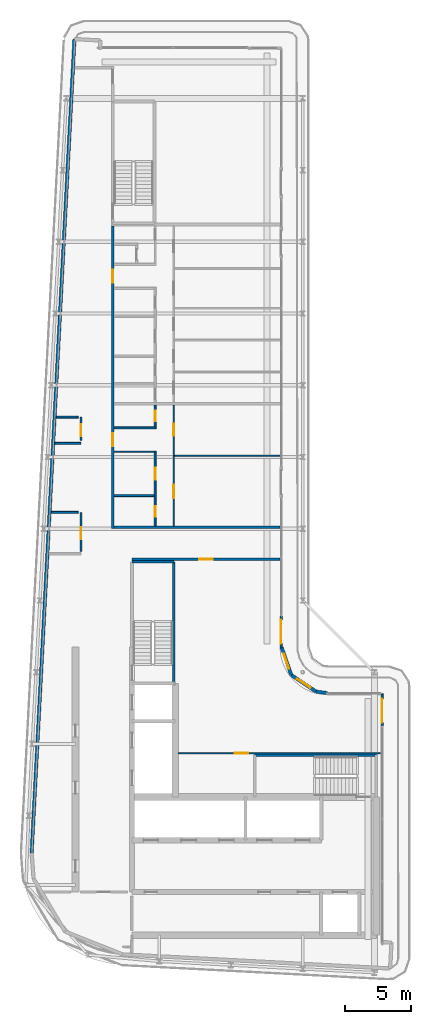
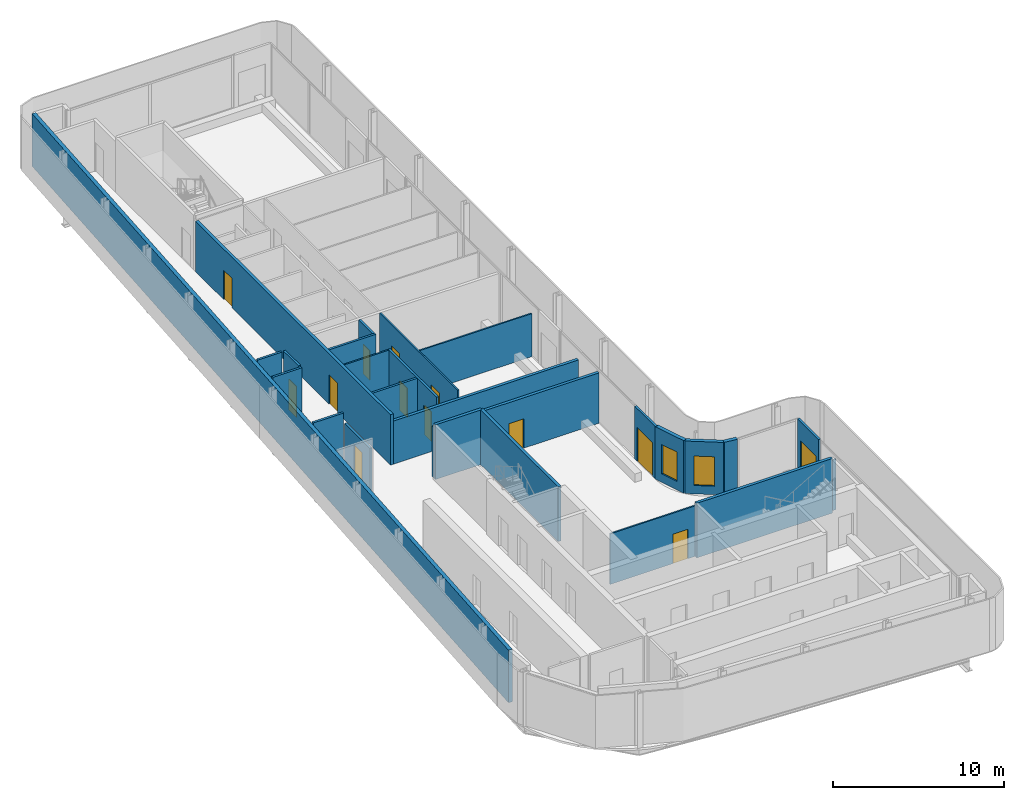
# One storey, part 10 of 19: 25 walls, 13 doors, 2 windows, 15 openings.
"""IFC4 building model written with IfcOpenShell, lengths in metres."""

from ifc_helpers import new_model, si_unit, direction, frame, frame_2d, origin, place, context, subcontext, project, spatial, rectangle, extrude, source, transform, mapped, material, layer, layer_set, type_object, element, fill, save


model = new_model("IFC4")

# Units and contexts
model_context = context("Model", 3, precision=1e-05, world=origin(), true_north=direction((0.0, 1.0)))
body_context = subcontext(model_context, "Body", "Model", "MODEL_VIEW")
ifc_project = project(units=[si_unit("LENGTHUNIT", "METRE"), si_unit("AREAUNIT", "SQUARE_METRE"), si_unit("VOLUMEUNIT", "CUBIC_METRE"), si_unit("PLANEANGLEUNIT", "RADIAN"), si_unit("MASSUNIT", "GRAM", prefix="KILO")], contexts=[model_context])

# Site, building, storey
site_placement = place(None, origin())
site = spatial("IfcSite", under=ifc_project, at=site_placement, CompositionType="ELEMENT")
building_placement = place(site_placement, origin())
building = spatial("IfcBuilding", under=site, at=building_placement, Name="Kheshtan School and Residences Tower", CompositionType="ELEMENT")
storey_placement = place(building_placement, frame((0.0, 0.0, 357.800048828125)))
storey = spatial("IfcBuildingStorey", under=building, at=storey_placement, Name="L84", CompositionType="ELEMENT", Elevation=357.800048828125)

# Wall, openings, doors
ifc_material_1 = material(Name="Gypsum board on steel studs with fire boards", Category="steel")
ifc_layer_1 = layer(ifc_material_1, 0.199951171875)
ifc_layer_set_1 = layer_set([ifc_layer_1], Name="Corridor wall 200")
wall_type_1 = type_object("IfcWallType", Name="Corridor wall 200", PredefinedType="PARTITIONING", material=ifc_layer_set_1)
wall_1_placement = place(storey_placement, frame((33.300048828125, 56.39990234375, 0.0), z_axis=(0.0, 0.0, 1.0), x_axis=(0.0, 1.0, 0.0)))
wall_1 = element("IfcWall", 1, at=wall_1_placement, inside=storey, type_object=wall_type_1, Name="Partition L84-003", PredefinedType="PARTITIONING", context=body_context, shape_type="SweptSolid", body=[
    extrude(rectangle(XDim=22.800048828125, YDim=0.199951171875, at=frame_2d((11.39990234375, 0.0))), origin(), (0.0, 0.0, 1.0), 3.599853515625),
])
opening_1_placement = place(wall_1_placement, frame((6.199951171875, 0.0, 0.0)))
opening_1 = element("IfcOpeningElement", 2, at=opening_1_placement, cuts=wall_1, Name="Opening D83-003", PredefinedType="OPENING", context=body_context, shape_type="SweptSolid", body=[
    extrude(rectangle(XDim=1.0, YDim=2.10009765625, at=frame_2d((0.5, 1.050048828125))), frame((0.0, 0.10986328125, 0.0), z_axis=(0.0, -1.0, 0.0), x_axis=(1.0, 0.0, 0.0)), (0.0, 0.0, 1.0), 0.219970703125),
])
opening_2_placement = place(wall_1_placement, frame((18.5, 0.0, 0.0)))
opening_2 = element("IfcOpeningElement", 3, at=opening_2_placement, cuts=wall_1, Name="Opening D83-011", PredefinedType="OPENING", context=body_context, shape_type="SweptSolid", body=[
    extrude(rectangle(XDim=1.0, YDim=2.10009765625, at=frame_2d((0.5, 1.050048828125))), frame((0.0, 0.10986328125, 0.0), z_axis=(0.0, -1.0, 0.0), x_axis=(1.0, 0.0, 0.0)), (0.0, 0.0, 1.0), 0.219970703125),
])
ifc_material_2 = material(Name="Steel-framed fire-resisting door leaf", Category="steel")
door_type_1 = type_object("IfcDoorType", Name="Fire door FD30S 1000 x 2100", OperationType="SINGLE_SWING_LEFT", PredefinedType="DOOR", material=ifc_material_2)
shared_shape_1 = source(origin(), body_context, "Body", "SweptSolid", [
    extrude(rectangle(XDim=1.0, YDim=2.10009765625, at=frame_2d((0.5, 1.050048828125))), frame((0.0, 0.02490234375, 0.0), z_axis=(0.0, -1.0, 0.0), x_axis=(1.0, 0.0, 0.0)), (0.0, 0.0, 1.0), 0.050048828125),
])
door_1_placement = place(opening_1_placement, origin())
door_1 = element("IfcDoor", 4, at=door_1_placement, inside=storey, type_object=door_type_1, Name="Door D83-003", OperationType="SINGLE_SWING_LEFT", OverallHeight=2.10009765625, OverallWidth=1.0, PredefinedType="DOOR", context=body_context, shape_type="MappedRepresentation", body=[
    mapped(shared_shape_1, transform((0.0, 0.0, 0.0), x_axis=(1.0, 0.0, 0.0), y_axis=(0.0, 1.0, 0.0), z_axis=(0.0, 0.0, 1.0), scale=1.0)),
])
fill(opening_1, door_1)
door_2_placement = place(opening_2_placement, origin())
door_2 = element("IfcDoor", 5, at=door_2_placement, inside=storey, type_object=door_type_1, Name="Door D83-011", OperationType="SINGLE_SWING_RIGHT", OverallHeight=2.10009765625, OverallWidth=1.0, PredefinedType="DOOR", context=body_context, shape_type="MappedRepresentation", body=[
    mapped(shared_shape_1, transform((0.0, 0.0, 0.0), x_axis=(1.0, 0.0, 0.0), y_axis=(0.0, 1.0, 0.0), z_axis=(0.0, 0.0, 1.0), scale=1.0)),
])
fill(opening_2, door_2)

# Wall
wall_2_placement = place(storey_placement, frame((33.39990234375, 56.5, 0.0), z_axis=(0.0, 0.0, 1.0), x_axis=(1.0, 0.0, 0.0)))
element("IfcWall", 6, at=wall_2_placement, inside=storey, type_object=wall_type_1, Name="Partition L84-005", PredefinedType="PARTITIONING", context=body_context, shape_type="SweptSolid", body=[
    extrude(rectangle(XDim=12.5, YDim=0.199951171875, at=frame_2d((6.25, 0.0))), origin(), (0.0, 0.0, 1.0), 3.072021484375),
])

# Wall, opening, door
wall_3_placement = place(storey_placement, frame((34.75, 54.10009765625, 0.0), z_axis=(0.0, 0.0, 1.0), x_axis=(1.0, 0.0, 0.0)))
wall_3 = element("IfcWall", 7, at=wall_3_placement, inside=storey, type_object=wall_type_1, Name="Partition L84-018", PredefinedType="PARTITIONING", context=body_context, shape_type="SweptSolid", body=[
    extrude(rectangle(XDim=11.14990234375, YDim=0.199951171875, at=frame_2d((5.574951171875, 0.0))), origin(), (0.0, 0.0, 1.0), 3.599853515625),
])
opening_3_placement = place(wall_3_placement, frame((5.074951171875, 0.0, 0.0)))
opening_3 = element("IfcOpeningElement", 8, at=opening_3_placement, cuts=wall_3, Name="Opening D83-020", PredefinedType="OPENING", context=body_context, shape_type="SweptSolid", body=[
    extrude(rectangle(XDim=1.0, YDim=2.10009765625, at=frame_2d((0.5, 1.050048828125))), frame((0.0, 0.10986328125, 0.0), z_axis=(0.0, -1.0, 0.0), x_axis=(1.0, 0.0, 0.0)), (0.0, 0.0, 1.0), 0.219970703125),
])
door_type_2 = type_object("IfcDoorType", Name="Fire door FD60 1000 x 2100", OperationType="SINGLE_SWING_LEFT", PredefinedType="DOOR", material=ifc_material_2)
shared_shape_2 = source(origin(), body_context, "Body", "SweptSolid", [
    extrude(rectangle(XDim=1.0, YDim=2.10009765625, at=frame_2d((0.5, 1.050048828125))), frame((0.0, 0.02490234375, 0.0), z_axis=(0.0, -1.0, 0.0), x_axis=(1.0, 0.0, 0.0)), (0.0, 0.0, 1.0), 0.050048828125),
])
door_3_placement = place(opening_3_placement, origin())
door_3 = element("IfcDoor", 9, at=door_3_placement, inside=storey, type_object=door_type_2, Name="Door D83-020", OperationType="SINGLE_SWING_RIGHT", OverallHeight=2.10009765625, OverallWidth=1.0, PredefinedType="DOOR", context=body_context, shape_type="MappedRepresentation", body=[
    mapped(shared_shape_2, transform((0.0, 0.0, 0.0), x_axis=(1.0, 0.0, 0.0), y_axis=(0.0, 1.0, 0.0), z_axis=(0.0, 0.0, 1.0), scale=1.0)),
])
fill(opening_3, door_3)

# Wall, opening, window
ifc_material_3 = material(Name="Concrete C40/50 with ceramic cladding and mineral wool insulation", Category="concrete")
ifc_layer_2 = layer(ifc_material_3, 0.25)
ifc_layer_set_2 = layer_set([ifc_layer_2], Name="External wall 250 ceramic clad")
wall_type_2 = type_object("IfcWallType", Name="External wall 250 ceramic clad", PredefinedType="SOLIDWALL", material=ifc_layer_set_2)
wall_4_placement = place(storey_placement, frame((46.01806640625, 47.470947265625, 0.0), z_axis=(0.0, 0.0, 1.0), x_axis=(0.328791208903, -0.944402637093, 0.0)))
wall_4 = element("IfcWall", 10, at=wall_4_placement, inside=storey, type_object=wall_type_2, Name="External wall L84 5", PredefinedType="SOLIDWALL", context=body_context, shape_type="SweptSolid", body=[
    extrude(rectangle(XDim=2.20458984375, YDim=0.25, at=frame_2d((1.102294921875, 0.0))), origin(), (0.0, 0.0, 1.0), 3.75),
])
opening_4_placement = place(wall_4_placement, frame((0.5029296875, 0.0, 0.60009765625)))
opening_4 = element("IfcOpeningElement", 11, at=opening_4_placement, cuts=wall_4, Name="Opening WN-E", PredefinedType="OPENING", context=body_context, shape_type="SweptSolid", body=[
    extrude(rectangle(XDim=1.199951171875, YDim=2.10009765625, at=frame_2d((0.60009765625, 1.050048828125))), frame((0.0, 0.135009765625, 0.0), z_axis=(0.0, -1.0, 0.0), x_axis=(1.0, 0.0, 0.0)), (0.0, 0.0, 1.0), 0.27001953125),
])
ifc_material_4 = material(Name="Clear low-e glass in thermally broken aluminium frame", Category="aluminium")
window_type = type_object("IfcWindowType", Name="Window WN-E", PartitioningType="SINGLE_PANEL", PredefinedType="WINDOW", material=ifc_material_4)
shared_shape_3 = source(origin(), body_context, "Body", "SweptSolid", [
    extrude(rectangle(XDim=1.199951171875, YDim=2.10009765625, at=frame_2d((0.60009765625, 1.050048828125))), frame((0.0, 0.030029296875, 0.0), z_axis=(0.0, -1.0, 0.0), x_axis=(1.0, 0.0, 0.0)), (0.0, 0.0, 1.0), 0.06005859375),
])
window_1_placement = place(opening_4_placement, origin())
window_1 = element("IfcWindow", 12, at=window_1_placement, inside=storey, type_object=window_type, Name="Window L84 5", OverallHeight=2.10009765625, OverallWidth=1.199951171875, PartitioningType="SINGLE_PANEL", PredefinedType="WINDOW", context=body_context, shape_type="MappedRepresentation", body=[
    mapped(shared_shape_3, transform((0.0, 0.0, 0.0), x_axis=(1.0, 0.0, 0.0), y_axis=(0.0, 1.0, 0.0), z_axis=(0.0, 0.0, 1.0), scale=1.0)),
])
fill(opening_4, window_1)

wall_5_placement = place(storey_placement, frame((46.742919921875, 45.388916015625, 0.0), z_axis=(0.0, 0.0, 1.0), x_axis=(0.831449265529, -0.555600682912, 0.0)))
wall_5 = element("IfcWall", 13, at=wall_5_placement, inside=storey, type_object=wall_type_2, Name="External wall L84 6", PredefinedType="SOLIDWALL", context=body_context, shape_type="SweptSolid", body=[
    extrude(rectangle(XDim=2.25146484375, YDim=0.25, at=frame_2d((1.125732421875, 0.0))), origin(), (0.0, 0.0, 1.0), 3.75),
])
opening_5_placement = place(wall_5_placement, frame((0.52490234375, 0.0, 0.60009765625)))
opening_5 = element("IfcOpeningElement", 14, at=opening_5_placement, cuts=wall_5, Name="Opening WN-E", PredefinedType="OPENING", context=body_context, shape_type="SweptSolid", body=[
    extrude(rectangle(XDim=1.199951171875, YDim=2.10009765625, at=frame_2d((0.60009765625, 1.050048828125))), frame((0.0, 0.135009765625, 0.0), z_axis=(0.0, -1.0, 0.0), x_axis=(1.0, 0.0, 0.0)), (0.0, 0.0, 1.0), 0.27001953125),
])
window_2_placement = place(opening_5_placement, origin())
window_2 = element("IfcWindow", 15, at=window_2_placement, inside=storey, type_object=window_type, Name="Window L84 6", OverallHeight=2.10009765625, OverallWidth=1.199951171875, PartitioningType="SINGLE_PANEL", PredefinedType="WINDOW", context=body_context, shape_type="MappedRepresentation", body=[
    mapped(shared_shape_3, transform((0.0, 0.0, 0.0), x_axis=(1.0, 0.0, 0.0), y_axis=(0.0, 1.0, 0.0), z_axis=(0.0, 0.0, 1.0), scale=1.0)),
])
fill(opening_5, window_2)

# Walls
wall_6_placement = place(storey_placement, frame((48.614990234375, 44.137939453125, 0.0), z_axis=(0.0, 0.0, 1.0), x_axis=(0.990741504246, -0.135761819977, 0.0)))
element("IfcWall", 16, at=wall_6_placement, inside=storey, type_object=wall_type_2, Name="External wall L84 7", PredefinedType="SOLIDWALL", context=body_context, shape_type="SweptSolid", body=[
    extrude(rectangle(XDim=0.83984375, YDim=0.25, at=frame_2d((0.419921875, 0.0))), origin(), (0.0, 0.0, 1.0), 3.75),
])
wall_7_placement = place(storey_placement, frame((27.195068359375, 31.968994140625, 0.0), z_axis=(0.0, 0.0, 1.0), x_axis=(0.052555284099, 0.998618016117, 0.0)))
element("IfcWall", 17, at=wall_7_placement, inside=storey, type_object=wall_type_2, Name="External wall L84 16", PredefinedType="SOLIDWALL", context=body_context, shape_type="SweptSolid", body=[
    extrude(rectangle(XDim=61.379638671875, YDim=0.25, at=frame_2d((30.68994140625, 0.0))), origin(), (0.0, 0.0, 1.0), 3.75),
])

# Wall, opening, door
ifc_material_5 = material(Name="Aluminium frame wall with insulated infill", Category="aluminium")
ifc_layer_3 = layer(ifc_material_5, 0.14990234375)
ifc_layer_set_3 = layer_set([ifc_layer_3], Name="Glazing frame wall 150")
wall_type_3 = type_object("IfcWallType", Name="Glazing frame wall 150", PredefinedType="SOLIDWALL", material=ifc_layer_set_3)
wall_8_placement = place(storey_placement, frame((45.97509765625, 49.830078125, 0.0), z_axis=(0.0, 0.0, 1.0), x_axis=(0.0, -1.0, 0.0)))
wall_8 = element("IfcWall", 18, at=wall_8_placement, inside=storey, type_object=wall_type_3, Name="Balcony door wall L84 4.4", PredefinedType="SOLIDWALL", context=body_context, shape_type="SweptSolid", body=[
    extrude(rectangle(XDim=2.400146484375, YDim=0.14990234375, at=frame_2d((1.2001953125, 0.0))), origin(), (0.0, 0.0, 1.0), 3.75),
])
opening_6_placement = place(wall_8_placement, frame((0.300048828125, 0.0, 0.0)))
opening_6 = element("IfcOpeningElement", 19, at=opening_6_placement, cuts=wall_8, Name="Opening BD", PredefinedType="OPENING", context=body_context, shape_type="SweptSolid", body=[
    extrude(rectangle(XDim=1.800048828125, YDim=2.39990234375, at=frame_2d((0.89990234375, 1.199951171875))), frame((0.0, 0.0849609375, 0.0), z_axis=(0.0, -1.0, 0.0), x_axis=(1.0, 0.0, 0.0)), (0.0, 0.0, 1.0), 0.169921875),
])
door_type_3 = type_object("IfcDoorType", Name="Balcony sliding door", OperationType="SLIDING_TO_LEFT", PredefinedType="DOOR", material=ifc_material_4)
shared_shape_4 = source(origin(), body_context, "Body", "SweptSolid", [
    extrude(rectangle(XDim=1.800048828125, YDim=2.39990234375, at=frame_2d((0.89990234375, 1.199951171875))), frame((0.0, 0.02490234375, 0.0), z_axis=(0.0, -1.0, 0.0), x_axis=(1.0, 0.0, 0.0)), (0.0, 0.0, 1.0), 0.050048828125),
])
door_4_placement = place(opening_6_placement, origin())
door_4 = element("IfcDoor", 20, at=door_4_placement, inside=storey, type_object=door_type_3, Name="Balcony door L84 4.4", OperationType="SLIDING_TO_LEFT", OverallHeight=2.39990234375, OverallWidth=1.800048828125, PredefinedType="DOOR", context=body_context, shape_type="MappedRepresentation", body=[
    mapped(shared_shape_4, transform((0.0, 0.0, 0.0), x_axis=(1.0, 0.0, 0.0), y_axis=(0.0, 1.0, 0.0), z_axis=(0.0, 0.0, 1.0), scale=1.0)),
])
fill(opening_6, door_4)

wall_9_placement = place(storey_placement, frame((53.574951171875, 43.970947265625, 0.0), z_axis=(0.0, 0.0, 1.0), x_axis=(0.0, -1.0, 0.0)))
wall_9 = element("IfcWall", 21, at=wall_9_placement, inside=storey, type_object=wall_type_3, Name="Balcony door wall L84 9.1", PredefinedType="SOLIDWALL", context=body_context, shape_type="SweptSolid", body=[
    extrude(rectangle(XDim=2.470947265625, YDim=0.14990234375, at=frame_2d((1.2353515625, 0.0))), origin(), (0.0, 0.0, 1.0), 3.75),
])
opening_7_placement = place(wall_9_placement, frame((0.37109375, 0.0, 0.0)))
opening_7 = element("IfcOpeningElement", 22, at=opening_7_placement, cuts=wall_9, Name="Opening BD", PredefinedType="OPENING", context=body_context, shape_type="SweptSolid", body=[
    extrude(rectangle(XDim=1.800048828125, YDim=2.39990234375, at=frame_2d((0.89990234375, 1.199951171875))), frame((0.0, 0.0849609375, 0.0), z_axis=(0.0, -1.0, 0.0), x_axis=(1.0, 0.0, 0.0)), (0.0, 0.0, 1.0), 0.169921875),
])
door_5_placement = place(opening_7_placement, origin())
door_5 = element("IfcDoor", 23, at=door_5_placement, inside=storey, type_object=door_type_3, Name="Balcony door L84 9.1", OperationType="SLIDING_TO_LEFT", OverallHeight=2.39990234375, OverallWidth=1.800048828125, PredefinedType="DOOR", context=body_context, shape_type="MappedRepresentation", body=[
    mapped(shared_shape_4, transform((0.0, 0.0, 0.0), x_axis=(1.0, 0.0, 0.0), y_axis=(0.0, 1.0, 0.0), z_axis=(0.0, 0.0, 1.0), scale=1.0)),
])
fill(opening_7, door_5)

# Wall
ifc_material_6 = material(Name="Gypsum board on steel studs", Category="steel")
ifc_layer_4 = layer(ifc_material_6, 0.10009765625)
ifc_layer_set_4 = layer_set([ifc_layer_4], Name="Gypsum partition 100")
wall_type_4 = type_object("IfcWallType", Name="Gypsum partition 100", PredefinedType="PARTITIONING", material=ifc_layer_set_4)
wall_10_placement = place(storey_placement, frame((33.39990234375, 62.199951171875, 0.0), z_axis=(0.0, 0.0, 1.0), x_axis=(1.0, 0.0, 0.0)))
element("IfcWall", 24, at=wall_10_placement, inside=storey, type_object=wall_type_4, Name="Partition L84-007", PredefinedType="PARTITIONING", context=body_context, shape_type="SweptSolid", body=[
    extrude(rectangle(XDim=3.025146484375, YDim=0.10009765625, at=frame_2d((1.5126953125, 0.0))), origin(), (0.0, 0.0, 1.0), 3.599853515625),
])

# Wall, openings, doors
wall_11_placement = place(storey_placement, frame((37.89990234375, 56.60009765625, 0.0), z_axis=(0.0, 0.0, 1.0), x_axis=(0.0, 1.0, 0.0)))
wall_11 = element("IfcWall", 25, at=wall_11_placement, inside=storey, type_object=wall_type_4, Name="Partition L84-024", PredefinedType="PARTITIONING", context=body_context, shape_type="SweptSolid", body=[
    extrude(rectangle(XDim=9.099853515625, YDim=0.10009765625, at=frame_2d((4.5498046875, 0.0))), origin(), (0.0, 0.0, 1.0), 3.599853515625),
])
opening_8_placement = place(wall_11_placement, frame((6.800048828125, 0.0, 0.0)))
opening_8 = element("IfcOpeningElement", 26, at=opening_8_placement, cuts=wall_11, Name="Opening D83-002", PredefinedType="OPENING", context=body_context, shape_type="SweptSolid", body=[
    extrude(rectangle(XDim=0.89990234375, YDim=2.10009765625, at=frame_2d((0.449951171875, 1.050048828125))), frame((0.0, 0.06005859375, 0.0), z_axis=(0.0, -1.0, 0.0), x_axis=(1.0, 0.0, 0.0)), (0.0, 0.0, 1.0), 0.1201171875),
])
opening_9_placement = place(wall_11_placement, frame((2.10009765625, 0.0, 0.0)))
opening_9 = element("IfcOpeningElement", 27, at=opening_9_placement, cuts=wall_11, Name="Opening D83-005", PredefinedType="OPENING", context=body_context, shape_type="SweptSolid", body=[
    extrude(rectangle(XDim=1.0, YDim=2.10009765625, at=frame_2d((0.5, 1.050048828125))), frame((0.0, 0.06005859375, 0.0), z_axis=(0.0, -1.0, 0.0), x_axis=(1.0, 0.0, 0.0)), (0.0, 0.0, 1.0), 0.1201171875),
])
ifc_material_7 = material(Name="Veneered timber door leaf", Category="wood")
door_type_4 = type_object("IfcDoorType", Name="Door 1000 x 2100", OperationType="SINGLE_SWING_LEFT", PredefinedType="DOOR", material=ifc_material_7)
shared_shape_5 = source(origin(), body_context, "Body", "SweptSolid", [
    extrude(rectangle(XDim=1.0, YDim=2.10009765625, at=frame_2d((0.5, 1.050048828125))), frame((0.0, 0.02490234375, 0.0), z_axis=(0.0, -1.0, 0.0), x_axis=(1.0, 0.0, 0.0)), (0.0, 0.0, 1.0), 0.050048828125),
])
door_6_placement = place(opening_9_placement, origin())
door_6 = element("IfcDoor", 28, at=door_6_placement, inside=storey, type_object=door_type_4, Name="Door D83-005", OperationType="SINGLE_SWING_LEFT", OverallHeight=2.10009765625, OverallWidth=1.0, PredefinedType="DOOR", context=body_context, shape_type="MappedRepresentation", body=[
    mapped(shared_shape_5, transform((0.0, 0.0, 0.0), x_axis=(1.0, 0.0, 0.0), y_axis=(0.0, 1.0, 0.0), z_axis=(0.0, 0.0, 1.0), scale=1.0)),
])
fill(opening_9, door_6)
door_type_5 = type_object("IfcDoorType", Name="Door 900 x 2100", OperationType="SINGLE_SWING_LEFT", PredefinedType="DOOR", material=ifc_material_7)
shared_shape_6 = source(origin(), body_context, "Body", "SweptSolid", [
    extrude(rectangle(XDim=0.89990234375, YDim=2.10009765625, at=frame_2d((0.449951171875, 1.050048828125))), frame((0.0, 0.02490234375, 0.0), z_axis=(0.0, -1.0, 0.0), x_axis=(1.0, 0.0, 0.0)), (0.0, 0.0, 1.0), 0.050048828125),
])
door_7_placement = place(opening_8_placement, origin())
door_7 = element("IfcDoor", 29, at=door_7_placement, inside=storey, type_object=door_type_5, Name="Door D83-002", OperationType="SINGLE_SWING_RIGHT", OverallHeight=2.10009765625, OverallWidth=0.89990234375, PredefinedType="DOOR", context=body_context, shape_type="MappedRepresentation", body=[
    mapped(shared_shape_6, transform((0.0, 0.0, 0.0), x_axis=(1.0, 0.0, 0.0), y_axis=(0.0, 1.0, 0.0), z_axis=(0.0, 0.0, 1.0), scale=1.0)),
])
fill(opening_8, door_7)

# Wall
wall_12_placement = place(storey_placement, frame((37.949951171875, 61.89990234375, 0.0), z_axis=(0.0, 0.0, 1.0), x_axis=(1.0, 0.0, 0.0)))
element("IfcWall", 30, at=wall_12_placement, inside=storey, type_object=wall_type_4, Name="Partition L84-026", PredefinedType="PARTITIONING", context=body_context, shape_type="SweptSolid", body=[
    extrude(rectangle(XDim=7.949951171875, YDim=0.10009765625, at=frame_2d((3.97509765625, 0.0))), origin(), (0.0, 0.0, 1.0), 3.072021484375),
])

# Wall, opening, door
wall_13_placement = place(storey_placement, frame((38.2490234375, 39.5, 0.0), z_axis=(0.0, 0.0, 1.0), x_axis=(1.0, 0.0, 0.0)))
wall_13 = element("IfcWall", 31, at=wall_13_placement, inside=storey, type_object=wall_type_4, Name="Partition L84-031", PredefinedType="PARTITIONING", context=body_context, shape_type="SweptSolid", body=[
    extrude(rectangle(XDim=15.2509765625, YDim=0.10009765625, at=frame_2d((7.62548828125, 0.0))), origin(), (0.0, 0.0, 1.0), 3.599853515625),
])
opening_10_placement = place(wall_13_placement, frame((4.2470703125, 0.0, 0.0)))
opening_10 = element("IfcOpeningElement", 32, at=opening_10_placement, cuts=wall_13, Name="Opening D83-019", PredefinedType="OPENING", context=body_context, shape_type="SweptSolid", body=[
    extrude(rectangle(XDim=1.0, YDim=2.10009765625, at=frame_2d((0.5, 1.050048828125))), frame((0.0, 0.06005859375, 0.0), z_axis=(0.0, -1.0, 0.0), x_axis=(1.0, 0.0, 0.0)), (0.0, 0.0, 1.0), 0.1201171875),
])
door_8_placement = place(opening_10_placement, origin())
door_8 = element("IfcDoor", 33, at=door_8_placement, inside=storey, type_object=door_type_4, Name="Door D83-019", OperationType="SINGLE_SWING_LEFT", OverallHeight=2.10009765625, OverallWidth=1.0, PredefinedType="DOOR", context=body_context, shape_type="MappedRepresentation", body=[
    mapped(shared_shape_5, transform((0.0, 0.0, 0.0), x_axis=(1.0, 0.0, 0.0), y_axis=(0.0, 1.0, 0.0), z_axis=(0.0, 0.0, 1.0), scale=1.0)),
])
fill(opening_10, door_8)

ifc_material_8 = material(Name="Fire-board shaft wall system")
ifc_layer_5 = layer(ifc_material_8, 0.14990234375)
ifc_layer_set_5 = layer_set([ifc_layer_5], Name="Service room wall 150")
wall_type_5 = type_object("IfcWallType", Name="Service room wall 150", PredefinedType="PARTITIONING", material=ifc_layer_set_5)
wall_14_placement = place(storey_placement, frame((30.89990234375, 54.695068359375, 0.0), z_axis=(0.0, 0.0, 1.0), x_axis=(0.0, 1.0, 0.0)))
wall_14 = element("IfcWall", 34, at=wall_14_placement, inside=storey, type_object=wall_type_5, Name="Service room wall", PredefinedType="PARTITIONING", context=body_context, shape_type="SweptSolid", body=[
    extrude(rectangle(XDim=2.930908203125, YDim=0.14990234375, at=frame_2d((1.46533203125, 0.0))), origin(), (0.0, 0.0, 1.0), 3.072021484375),
])
opening_11_placement = place(wall_14_placement, frame((0.91796875, 0.0, 0.0)))
opening_11 = element("IfcOpeningElement", 35, at=opening_11_placement, cuts=wall_14, Name="Opening SR90", PredefinedType="OPENING", context=body_context, shape_type="SweptSolid", body=[
    extrude(rectangle(XDim=0.89990234375, YDim=2.199951171875, at=frame_2d((0.449951171875, 1.10009765625))), frame((0.0, 0.0849609375, 0.0), z_axis=(0.0, -1.0, 0.0), x_axis=(1.0, 0.0, 0.0)), (0.0, 0.0, 1.0), 0.169921875),
])
ifc_material_9 = material(Name="Steel door leaf, galvanised", Category="steel")
door_type_6 = type_object("IfcDoorType", Name="Service room door 900 steel 90 min", OperationType="SINGLE_SWING_LEFT", PredefinedType="DOOR", material=ifc_material_9)
shared_shape_7 = source(origin(), body_context, "Body", "SweptSolid", [
    extrude(rectangle(XDim=0.89990234375, YDim=2.199951171875, at=frame_2d((0.449951171875, 1.10009765625))), frame((0.0, 0.02490234375, 0.0), z_axis=(0.0, -1.0, 0.0), x_axis=(1.0, 0.0, 0.0)), (0.0, 0.0, 1.0), 0.050048828125),
])
door_9_placement = place(opening_11_placement, origin())
door_9 = element("IfcDoor", 36, at=door_9_placement, inside=storey, type_object=door_type_6, Name="Service room door", OperationType="SINGLE_SWING_LEFT", OverallHeight=2.199951171875, OverallWidth=0.89990234375, PredefinedType="DOOR", context=body_context, shape_type="MappedRepresentation", body=[
    mapped(shared_shape_7, transform((0.0, 0.0, 0.0), x_axis=(1.0, 0.0, 0.0), y_axis=(0.0, 1.0, 0.0), z_axis=(0.0, 0.0, 1.0), scale=1.0)),
])
fill(opening_11, door_9)

# Walls
wall_15_placement = place(storey_placement, frame((28.673095703125, 57.6259765625, 0.0), z_axis=(0.0, 0.0, 1.0), x_axis=(1.0, 0.0, 0.0)))
element("IfcWall", 37, at=wall_15_placement, inside=storey, type_object=wall_type_5, Name="Service room wall", PredefinedType="PARTITIONING", context=body_context, shape_type="SweptSolid", body=[
    extrude(rectangle(XDim=2.031982421875, YDim=0.14990234375, at=frame_2d((1.01611328125, 0.0))), origin(), (0.0, 0.0, 1.0), 3.89990234375),
])
wall_16_placement = place(storey_placement, frame((28.947021484375, 62.8330078125, 0.0), z_axis=(0.0, 0.0, 1.0), x_axis=(1.0, 0.0, 0.0)))
element("IfcWall", 38, at=wall_16_placement, inside=storey, type_object=wall_type_5, Name="Service room wall", PredefinedType="PARTITIONING", context=body_context, shape_type="SweptSolid", body=[
    extrude(rectangle(XDim=1.952880859375, YDim=0.14990234375, at=frame_2d((0.9765625, 0.0))), origin(), (0.0, 0.0, 1.0), 3.89990234375),
])

# Wall, opening, door
wall_17_placement = place(storey_placement, frame((30.89990234375, 63.028076171875, 0.0), z_axis=(0.0, 0.0, 1.0), x_axis=(0.0, 1.0, 0.0)))
wall_17 = element("IfcWall", 39, at=wall_17_placement, inside=storey, type_object=wall_type_5, Name="Service room wall", PredefinedType="PARTITIONING", context=body_context, shape_type="SweptSolid", body=[
    extrude(rectangle(XDim=1.77197265625, YDim=0.14990234375, at=frame_2d((0.885986328125, 0.0))), origin(), (0.0, 0.0, 1.0), 3.89990234375),
])
opening_12_placement = place(wall_17_placement, frame((0.337890625, 0.0, 0.0)))
opening_12 = element("IfcOpeningElement", 40, at=opening_12_placement, cuts=wall_17, Name="Opening SR90", PredefinedType="OPENING", context=body_context, shape_type="SweptSolid", body=[
    extrude(rectangle(XDim=0.89990234375, YDim=2.199951171875, at=frame_2d((0.449951171875, 1.10009765625))), frame((0.0, 0.0849609375, 0.0), z_axis=(0.0, -1.0, 0.0), x_axis=(1.0, 0.0, 0.0)), (0.0, 0.0, 1.0), 0.169921875),
])
door_10_placement = place(opening_12_placement, origin())
door_10 = element("IfcDoor", 41, at=door_10_placement, inside=storey, type_object=door_type_6, Name="Service room door", OperationType="SINGLE_SWING_LEFT", OverallHeight=2.199951171875, OverallWidth=0.89990234375, PredefinedType="DOOR", context=body_context, shape_type="MappedRepresentation", body=[
    mapped(shared_shape_7, transform((0.0, 0.0, 0.0), x_axis=(1.0, 0.0, 0.0), y_axis=(0.0, 1.0, 0.0), z_axis=(0.0, 0.0, 1.0), scale=1.0)),
])
fill(opening_12, door_10)

# Walls
wall_18_placement = place(storey_placement, frame((29.051025390625, 64.800048828125, 0.0), z_axis=(0.0, 0.0, 1.0), x_axis=(1.0, 0.0, 0.0)))
element("IfcWall", 42, at=wall_18_placement, inside=storey, type_object=wall_type_5, Name="Service room wall", PredefinedType="PARTITIONING", context=body_context, shape_type="SweptSolid", body=[
    extrude(rectangle(XDim=1.654052734375, YDim=0.14990234375, at=frame_2d((0.8271484375, 0.0))), origin(), (0.0, 0.0, 1.0), 3.89990234375),
])
ifc_material_10 = material(Name="Concrete C40/50", Category="concrete")
ifc_layer_6 = layer(ifc_material_10, 0.199951171875)
ifc_layer_set_6 = layer_set([ifc_layer_6], Name="Stair enclosure wall 200 Concrete C40/50")
wall_type_6 = type_object("IfcWallType", Name="Stair enclosure wall 200 Concrete C40/50", PredefinedType="SHEAR", material=ifc_layer_set_6)
wall_19_placement = place(storey_placement, frame((43.989990234375, 39.35009765625, 0.0), z_axis=(0.0, 0.0, 1.0), x_axis=(1.0, 0.0, 0.0)))
element("IfcWall", 43, at=wall_19_placement, inside=storey, type_object=wall_type_6, Name="Stair enclosure wall ST1", PredefinedType="SHEAR", context=body_context, shape_type="SweptSolid", body=[
    extrude(rectangle(XDim=9.159912109375, YDim=0.199951171875, at=frame_2d((4.580078125, 0.0))), origin(), (0.0, 0.0, 1.0), 3.89990234375),
])
wall_20_placement = place(storey_placement, frame((34.75, 53.909912109375, 0.0), z_axis=(0.0, 0.0, 1.0), x_axis=(1.0, 0.0, 0.0)))
element("IfcWall", 44, at=wall_20_placement, inside=storey, type_object=wall_type_6, Name="Stair enclosure wall ST2", PredefinedType="SHEAR", context=body_context, shape_type="SweptSolid", body=[
    extrude(rectangle(XDim=3.14990234375, YDim=0.199951171875, at=frame_2d((1.574951171875, 0.0))), origin(), (0.0, 0.0, 1.0), 3.89990234375),
])
wall_21_placement = place(storey_placement, frame((37.89990234375, 44.75, 0.0), z_axis=(0.0, 0.0, 1.0), x_axis=(0.0, 1.0, 0.0)))
element("IfcWall", 45, at=wall_21_placement, inside=storey, type_object=wall_type_6, Name="Stair enclosure wall ST2", PredefinedType="SHEAR", context=body_context, shape_type="SweptSolid", body=[
    extrude(rectangle(XDim=9.159912109375, YDim=0.199951171875, at=frame_2d((4.580078125, 0.0))), origin(), (0.0, 0.0, 1.0), 3.89990234375),
])
ifc_material_11 = material(Name="Moisture-resistant gypsum board on steel studs", Category="steel")
ifc_layer_7 = layer(ifc_material_11, 0.14990234375)
ifc_layer_set_7 = layer_set([ifc_layer_7], Name="Wet-room partition 150")
wall_type_7 = type_object("IfcWallType", Name="Wet-room partition 150", PredefinedType="PARTITIONING", material=ifc_layer_set_7)
wall_22_placement = place(storey_placement, frame((33.39990234375, 58.89990234375, 0.0), z_axis=(0.0, 0.0, 1.0), x_axis=(1.0, 0.0, 0.0)))
element("IfcWall", 46, at=wall_22_placement, inside=storey, type_object=wall_type_7, Name="Partition L84-006", PredefinedType="PARTITIONING", context=body_context, shape_type="SweptSolid", body=[
    extrude(rectangle(XDim=3.025146484375, YDim=0.14990234375, at=frame_2d((1.5126953125, 0.0))), origin(), (0.0, 0.0, 1.0), 3.599853515625),
])
wall_23_placement = place(storey_placement, frame((33.39990234375, 64.0, 0.0), z_axis=(0.0, 0.0, 1.0), x_axis=(1.0, 0.0, 0.0)))
element("IfcWall", 47, at=wall_23_placement, inside=storey, type_object=wall_type_7, Name="Partition L84-008", PredefinedType="PARTITIONING", context=body_context, shape_type="SweptSolid", body=[
    extrude(rectangle(XDim=3.175048828125, YDim=0.14990234375, at=frame_2d((1.58740234375, 0.0))), origin(), (0.0, 0.0, 1.0), 3.599853515625),
])

# Wall, openings, doors
wall_24_placement = place(storey_placement, frame((36.5, 56.60009765625, 0.0), z_axis=(0.0, 0.0, 1.0), x_axis=(0.0, 1.0, 0.0)))
wall_24 = element("IfcWall", 48, at=wall_24_placement, inside=storey, type_object=wall_type_7, Name="Partition L84-020", PredefinedType="PARTITIONING", context=body_context, shape_type="SweptSolid", body=[
    extrude(rectangle(XDim=5.64990234375, YDim=0.14990234375, at=frame_2d((2.824951171875, 0.0))), origin(), (0.0, 0.0, 1.0), 3.599853515625),
])
opening_13_placement = place(wall_24_placement, frame((0.699951171875, 0.0, 0.0)))
opening_13 = element("IfcOpeningElement", 49, at=opening_13_placement, cuts=wall_24, Name="Opening D83-001", PredefinedType="OPENING", context=body_context, shape_type="SweptSolid", body=[
    extrude(rectangle(XDim=0.800048828125, YDim=2.10009765625, at=frame_2d((0.39990234375, 1.050048828125))), frame((0.0, 0.0849609375, 0.0), z_axis=(0.0, -1.0, 0.0), x_axis=(1.0, 0.0, 0.0)), (0.0, 0.0, 1.0), 0.169921875),
])
opening_14_placement = place(wall_24_placement, frame((3.5, 0.0, 0.0)))
opening_14 = element("IfcOpeningElement", 50, at=opening_14_placement, cuts=wall_24, Name="Opening D83-004", PredefinedType="OPENING", context=body_context, shape_type="SweptSolid", body=[
    extrude(rectangle(XDim=0.89990234375, YDim=2.10009765625, at=frame_2d((0.449951171875, 1.050048828125))), frame((0.0, 0.0849609375, 0.0), z_axis=(0.0, -1.0, 0.0), x_axis=(1.0, 0.0, 0.0)), (0.0, 0.0, 1.0), 0.169921875),
])
door_type_7 = type_object("IfcDoorType", Name="Door 800 x 2100", OperationType="SINGLE_SWING_LEFT", PredefinedType="DOOR", material=ifc_material_7)
shared_shape_8 = source(origin(), body_context, "Body", "SweptSolid", [
    extrude(rectangle(XDim=0.800048828125, YDim=2.10009765625, at=frame_2d((0.39990234375, 1.050048828125))), frame((0.0, 0.02490234375, 0.0), z_axis=(0.0, -1.0, 0.0), x_axis=(1.0, 0.0, 0.0)), (0.0, 0.0, 1.0), 0.050048828125),
])
door_11_placement = place(opening_13_placement, origin())
door_11 = element("IfcDoor", 51, at=door_11_placement, inside=storey, type_object=door_type_7, Name="Door D83-001", OperationType="SINGLE_SWING_LEFT", OverallHeight=2.10009765625, OverallWidth=0.800048828125, PredefinedType="DOOR", context=body_context, shape_type="MappedRepresentation", body=[
    mapped(shared_shape_8, transform((0.0, 0.0, 0.0), x_axis=(1.0, 0.0, 0.0), y_axis=(0.0, 1.0, 0.0), z_axis=(0.0, 0.0, 1.0), scale=1.0)),
])
fill(opening_13, door_11)
door_12_placement = place(opening_14_placement, origin())
door_12 = element("IfcDoor", 52, at=door_12_placement, inside=storey, type_object=door_type_5, Name="Door D83-004", OperationType="SINGLE_SWING_LEFT", OverallHeight=2.10009765625, OverallWidth=0.89990234375, PredefinedType="DOOR", context=body_context, shape_type="MappedRepresentation", body=[
    mapped(shared_shape_6, transform((0.0, 0.0, 0.0), x_axis=(1.0, 0.0, 0.0), y_axis=(0.0, 1.0, 0.0), z_axis=(0.0, 0.0, 1.0), scale=1.0)),
])
fill(opening_14, door_12)

# Wall, opening, door
wall_25_placement = place(storey_placement, frame((36.5, 64.074951171875, 0.0), z_axis=(0.0, 0.0, 1.0), x_axis=(0.0, 1.0, 0.0)))
wall_25 = element("IfcWall", 53, at=wall_25_placement, inside=storey, type_object=wall_type_7, Name="Partition L84-021", PredefinedType="PARTITIONING", context=body_context, shape_type="SweptSolid", body=[
    extrude(rectangle(XDim=1.625, YDim=0.14990234375, at=frame_2d((0.8125, 0.0))), origin(), (0.0, 0.0, 1.0), 3.599853515625),
])
opening_15_placement = place(wall_25_placement, frame((0.425048828125, 0.0, 0.0)))
opening_15 = element("IfcOpeningElement", 54, at=opening_15_placement, cuts=wall_25, Name="Opening D83-006", PredefinedType="OPENING", context=body_context, shape_type="SweptSolid", body=[
    extrude(rectangle(XDim=0.800048828125, YDim=2.10009765625, at=frame_2d((0.39990234375, 1.050048828125))), frame((0.0, 0.0849609375, 0.0), z_axis=(0.0, -1.0, 0.0), x_axis=(1.0, 0.0, 0.0)), (0.0, 0.0, 1.0), 0.169921875),
])
door_13_placement = place(opening_15_placement, origin())
door_13 = element("IfcDoor", 55, at=door_13_placement, inside=storey, type_object=door_type_7, Name="Door D83-006", OperationType="SINGLE_SWING_RIGHT", OverallHeight=2.10009765625, OverallWidth=0.800048828125, PredefinedType="DOOR", context=body_context, shape_type="MappedRepresentation", body=[
    mapped(shared_shape_8, transform((0.0, 0.0, 0.0), x_axis=(1.0, 0.0, 0.0), y_axis=(0.0, 1.0, 0.0), z_axis=(0.0, 0.0, 1.0), scale=1.0)),
])
fill(opening_15, door_13)

save(model, "model.ifc")
